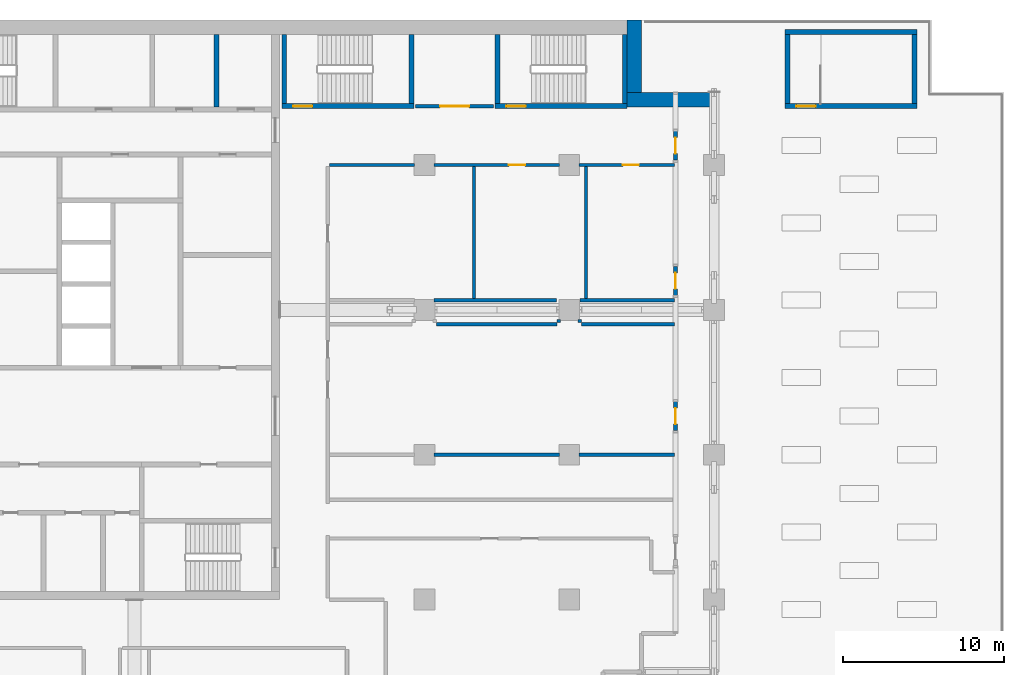
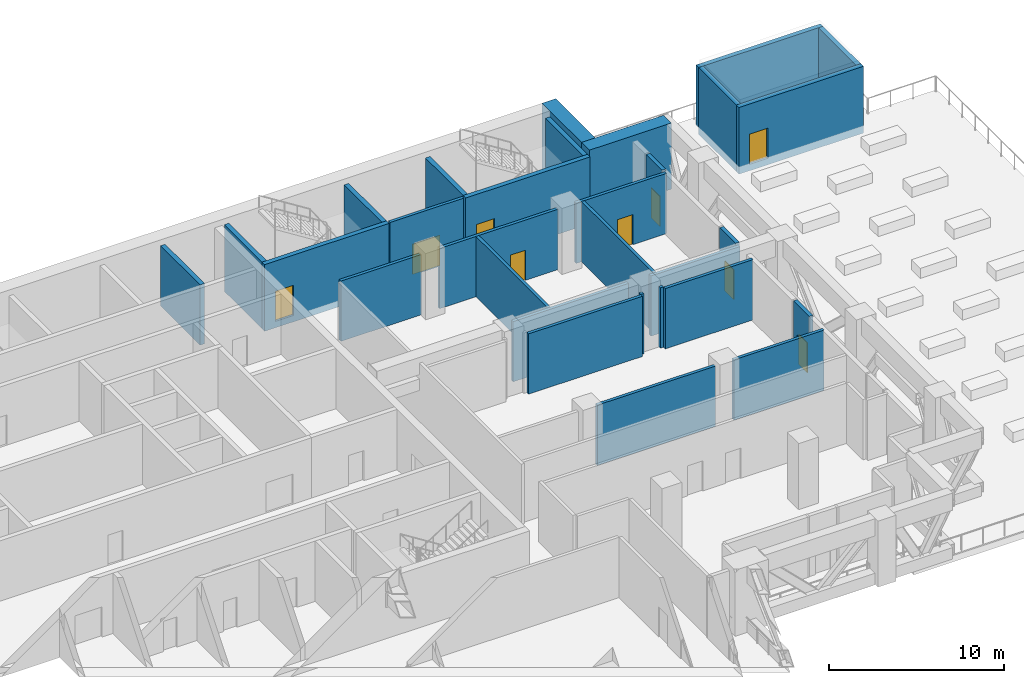
# One storey, part 12 of 22: 30 walls, 9 doors, 9 openings.
"""IFC4 building model written with IfcOpenShell, lengths in metres."""

from ifc_helpers import new_model, si_unit, direction, frame, frame_2d, origin, place, context, subcontext, project, spatial, rectangle, extrude, material, layer, layer_set, type_object, element, fill, save


model = new_model("IFC4")

# Units and contexts
model_context = context("Model", 3, precision=1e-05, world=origin(), true_north=direction((0.0, 1.0)))
body_context = subcontext(model_context, "Body", "Model", "MODEL_VIEW")
ifc_project = project(units=[si_unit("LENGTHUNIT", "METRE"), si_unit("AREAUNIT", "SQUARE_METRE"), si_unit("VOLUMEUNIT", "CUBIC_METRE"), si_unit("PLANEANGLEUNIT", "RADIAN"), si_unit("MASSUNIT", "GRAM", prefix="KILO")], contexts=[model_context])

# Site, building, storey
site_placement = place(None, origin())
site = spatial("IfcSite", under=ifc_project, at=site_placement, CompositionType="ELEMENT")
building_placement = place(site_placement, origin())
building = spatial("IfcBuilding", under=site, at=building_placement, Name="Hunhe Ridgeline Campus", CompositionType="ELEMENT")
storey_placement = place(building_placement, frame((0.0, 0.0, 129.199951171875)))
storey = spatial("IfcBuildingStorey", under=building, at=storey_placement, Name="L32", CompositionType="ELEMENT", Elevation=129.199951171875)

# Walls
ifc_material_1 = material(Name="Masonry concrete blockwork", Category="masonry")
ifc_layer_1 = layer(ifc_material_1, 0.300048828125)
ifc_layer_set_1 = layer_set([ifc_layer_1], Name="Core room partition 300 concrete block")
wall_type_1 = type_object("IfcWallType", Name="Core room partition 300 concrete block", PredefinedType="PARTITIONING", material=ifc_layer_set_1)
wall_1_placement = place(storey_placement, frame((32.10009765625, 93.60009765625, 0.0), z_axis=(0.0, 0.0, 1.0), x_axis=(0.0, 1.0, 0.0)))
element("IfcWall", 1, at=wall_1_placement, inside=storey, type_object=wall_type_1, Name="L32 core partition 61", PredefinedType="PARTITIONING", context=body_context, shape_type="SweptSolid", body=[
    extrude(rectangle(XDim=4.5, YDim=0.300048828125, at=frame_2d((2.25, 0.0))), origin(), (0.0, 0.0, 1.0), 4.199951171875),
])
ifc_material_2 = material(Name="Gypsum board partition")
ifc_layer_2 = layer(ifc_material_2, 0.199951171875)
ifc_layer_set_2 = layer_set([ifc_layer_2], Name="Corridor partition 200 gypsum board on steel studs")
wall_type_2 = type_object("IfcWallType", Name="Corridor partition 200 gypsum board on steel studs", PredefinedType="PARTITIONING", material=ifc_layer_set_2)
wall_2_placement = place(storey_placement, frame((45.60009765625, 72.0, 0.0), z_axis=(0.0, 0.0, 1.0), x_axis=(1.0, 0.0, 0.0)))
element("IfcWall", 2, at=wall_2_placement, inside=storey, type_object=wall_type_2, Name="F-L32-wall-032", PredefinedType="PARTITIONING", context=body_context, shape_type="SweptSolid", body=[
    extrude(rectangle(XDim=7.7998046875, YDim=0.199951171875, at=frame_2d((3.89990234375, 0.0))), origin(), (0.0, 0.0, 1.0), 4.199951171875),
])
wall_3_placement = place(storey_placement, frame((54.60009765625, 72.0, 0.0), z_axis=(0.0, 0.0, 1.0), x_axis=(1.0, 0.0, 0.0)))
element("IfcWall", 3, at=wall_3_placement, inside=storey, type_object=wall_type_2, Name="F-L32-wall-033", PredefinedType="PARTITIONING", context=body_context, shape_type="SweptSolid", body=[
    extrude(rectangle(XDim=5.94482421875, YDim=0.199951171875, at=frame_2d((2.972412109375, 0.0))), origin(), (0.0, 0.0, 1.0), 4.199951171875),
])
wall_4_placement = place(storey_placement, frame((45.75, 80.10009765625, 0.0), z_axis=(0.0, 0.0, 1.0), x_axis=(1.0, 0.0, 0.0)))
element("IfcWall", 4, at=wall_4_placement, inside=storey, type_object=wall_type_2, Name="F-L32-wall-035", PredefinedType="PARTITIONING", context=body_context, shape_type="SweptSolid", body=[
    extrude(rectangle(XDim=7.5, YDim=0.199951171875, at=frame_2d((3.75, 0.0))), origin(), (0.0, 0.0, 1.0), 4.199951171875),
])
wall_5_placement = place(storey_placement, frame((54.75, 80.10009765625, 0.0), z_axis=(0.0, 0.0, 1.0), x_axis=(1.0, 0.0, 0.0)))
element("IfcWall", 5, at=wall_5_placement, inside=storey, type_object=wall_type_2, Name="F-L32-wall-036", PredefinedType="PARTITIONING", context=body_context, shape_type="SweptSolid", body=[
    extrude(rectangle(XDim=5.794921875, YDim=0.199951171875, at=frame_2d((2.8974609375, 0.0))), origin(), (0.0, 0.0, 1.0), 4.199951171875),
])
wall_6_placement = place(storey_placement, frame((45.60009765625, 81.60009765625, 0.0), z_axis=(0.0, 0.0, 1.0), x_axis=(1.0, 0.0, 0.0)))
element("IfcWall", 6, at=wall_6_placement, inside=storey, type_object=wall_type_2, Name="F-L32-wall-038", PredefinedType="PARTITIONING", context=body_context, shape_type="SweptSolid", body=[
    extrude(rectangle(XDim=7.60009765625, YDim=0.199951171875, at=frame_2d((3.800048828125, 0.0))), origin(), (0.0, 0.0, 1.0), 4.199951171875),
])
wall_7_placement = place(storey_placement, frame((54.669189453125, 81.60009765625, 0.0), z_axis=(0.0, 0.0, 1.0), x_axis=(1.0, 0.0, 0.0)))
element("IfcWall", 7, at=wall_7_placement, inside=storey, type_object=wall_type_2, Name="F-L32-wall-039", PredefinedType="PARTITIONING", context=body_context, shape_type="SweptSolid", body=[
    extrude(rectangle(XDim=5.875732421875, YDim=0.199951171875, at=frame_2d((2.93798828125, 0.0))), origin(), (0.0, 0.0, 1.0), 4.199951171875),
])

# Wall, opening, door
wall_8_placement = place(storey_placement, frame((60.544921875, 90.0, 0.0), z_axis=(0.0, 0.0, 1.0), x_axis=(-1.0, 0.0, 0.0)))
wall_8 = element("IfcWall", 8, at=wall_8_placement, inside=storey, type_object=wall_type_2, Name="F-L32-wall-040", PredefinedType="PARTITIONING", context=body_context, shape_type="SweptSolid", body=[
    extrude(rectangle(XDim=5.94482421875, YDim=0.199951171875, at=frame_2d((2.972412109375, 0.0))), origin(), (0.0, 0.0, 1.0), 4.199951171875),
])
opening_1_placement = place(wall_8_placement, frame((2.214111328125, 0.0, 0.0)))
opening_1 = element("IfcOpeningElement", 9, at=opening_1_placement, cuts=wall_8, Name="Opening RD1-026", PredefinedType="OPENING", context=body_context, shape_type="SweptSolid", body=[
    extrude(rectangle(XDim=1.0, YDim=2.10009765625, at=frame_2d((0.5, 1.050048828125))), frame((0.0, 0.10009765625, 0.0), z_axis=(0.0, -1.0, 0.0), x_axis=(1.0, 0.0, 0.0)), (0.0, 0.0, 1.0), 0.199951171875),
])
ifc_material_3 = material(Name="Timber door leaf", Category="wood")
door_type_1 = type_object("IfcDoorType", Name="Single fire door 1000x2100 timber FD60", OperationType="NOTDEFINED", PredefinedType="DOOR", material=ifc_material_3)
door_1_placement = place(opening_1_placement, frame((1.0, 0.0, 0.0), z_axis=(0.0, 0.0, 1.0), x_axis=(-1.0, 0.0, 0.0)))
door_1 = element("IfcDoor", 10, at=door_1_placement, inside=storey, type_object=door_type_1, Name="F-L32-door-026", OperationType="SINGLE_SWING_RIGHT", OverallHeight=2.10009765625, OverallWidth=1.0, PredefinedType="DOOR", context=body_context, shape_type="SweptSolid", body=[
    extrude(rectangle(XDim=1.0, YDim=2.10009765625, at=frame_2d((0.5, 1.050048828125))), frame((0.0, 0.02490234375, 0.0), z_axis=(0.0, -1.0, 0.0), x_axis=(1.0, 0.0, 0.0)), (0.0, 0.0, 1.0), 0.050048828125),
])
fill(opening_1, door_1)

# Wall
wall_9_placement = place(storey_placement, frame((44.39990234375, 90.0, 0.0), z_axis=(0.0, 0.0, 1.0), x_axis=(-1.0, 0.0, 0.0)))
element("IfcWall", 11, at=wall_9_placement, inside=storey, type_object=wall_type_2, Name="F-L32-wall-041", PredefinedType="PARTITIONING", context=body_context, shape_type="SweptSolid", body=[
    extrude(rectangle(XDim=5.2998046875, YDim=0.199951171875, at=frame_2d((2.64990234375, 0.0))), origin(), (0.0, 0.0, 1.0), 4.199951171875),
])

# Wall, opening, door
wall_10_placement = place(storey_placement, frame((53.39990234375, 90.0, 0.0), z_axis=(0.0, 0.0, 1.0), x_axis=(-1.0, 0.0, 0.0)))
wall_10 = element("IfcWall", 12, at=wall_10_placement, inside=storey, type_object=wall_type_2, Name="F-L32-wall-042", PredefinedType="PARTITIONING", context=body_context, shape_type="SweptSolid", body=[
    extrude(rectangle(XDim=7.7998046875, YDim=0.199951171875, at=frame_2d((3.89990234375, 0.0))), origin(), (0.0, 0.0, 1.0), 4.199951171875),
])
opening_2_placement = place(wall_10_placement, frame((2.141845703125, 0.0, 0.0)))
opening_2 = element("IfcOpeningElement", 13, at=opening_2_placement, cuts=wall_10, Name="Opening RD1-025", PredefinedType="OPENING", context=body_context, shape_type="SweptSolid", body=[
    extrude(rectangle(XDim=1.0, YDim=2.10009765625, at=frame_2d((0.5, 1.050048828125))), frame((0.0, 0.10009765625, 0.0), z_axis=(0.0, -1.0, 0.0), x_axis=(1.0, 0.0, 0.0)), (0.0, 0.0, 1.0), 0.199951171875),
])
door_2_placement = place(opening_2_placement, frame((1.0, 0.0, 0.0), z_axis=(0.0, 0.0, 1.0), x_axis=(-1.0, 0.0, 0.0)))
door_2 = element("IfcDoor", 14, at=door_2_placement, inside=storey, type_object=door_type_1, Name="F-L32-door-025", OperationType="SINGLE_SWING_RIGHT", OverallHeight=2.10009765625, OverallWidth=1.0, PredefinedType="DOOR", context=body_context, shape_type="SweptSolid", body=[
    extrude(rectangle(XDim=1.0, YDim=2.10009765625, at=frame_2d((0.5, 1.050048828125))), frame((0.0, 0.02490234375, 0.0), z_axis=(0.0, -1.0, 0.0), x_axis=(1.0, 0.0, 0.0)), (0.0, 0.0, 1.0), 0.050048828125),
])
fill(opening_2, door_2)

wall_11_placement = place(storey_placement, frame((44.4541015625, 93.64990234375, 0.0), z_axis=(0.0, 0.0, 1.0), x_axis=(1.0, 0.0, 0.0)))
wall_11 = element("IfcWall", 15, at=wall_11_placement, inside=storey, type_object=wall_type_2, Name="F-L32-wall-043", PredefinedType="PARTITIONING", context=body_context, shape_type="SweptSolid", body=[
    extrude(rectangle(XDim=4.841796875, YDim=0.199951171875, at=frame_2d((2.4208984375, 0.0))), origin(), (0.0, 0.0, 1.0), 4.199951171875),
])
opening_3_placement = place(wall_11_placement, frame((1.52099609375, 0.0, 0.0)))
opening_3 = element("IfcOpeningElement", 16, at=opening_3_placement, cuts=wall_11, Name="Opening RD2-027", PredefinedType="OPENING", context=body_context, shape_type="SweptSolid", body=[
    extrude(rectangle(XDim=1.800048828125, YDim=2.10009765625, at=frame_2d((0.89990234375, 1.050048828125))), frame((0.0, 0.10009765625, 0.0), z_axis=(0.0, -1.0, 0.0), x_axis=(1.0, 0.0, 0.0)), (0.0, 0.0, 1.0), 0.199951171875),
])
door_type_2 = type_object("IfcDoorType", Name="Double fire door 1800x2100 timber FD60", OperationType="DOUBLE_DOOR_SINGLE_SWING", PredefinedType="DOOR", material=ifc_material_3)
door_3_placement = place(opening_3_placement, origin())
door_3 = element("IfcDoor", 17, at=door_3_placement, inside=storey, type_object=door_type_2, Name="F-L32-door-027", OperationType="DOUBLE_DOOR_SINGLE_SWING", OverallHeight=2.10009765625, OverallWidth=1.800048828125, PredefinedType="DOOR", context=body_context, shape_type="SweptSolid", body=[
    extrude(rectangle(XDim=1.800048828125, YDim=2.10009765625, at=frame_2d((0.89990234375, 1.050048828125))), frame((0.0, 0.02490234375, 0.0), z_axis=(0.0, -1.0, 0.0), x_axis=(1.0, 0.0, 0.0)), (0.0, 0.0, 1.0), 0.050048828125),
])
fill(opening_3, door_3)

# Walls
wall_12_placement = place(storey_placement, frame((48.091064453125, 89.89990234375, 0.0), z_axis=(0.0, 0.0, 1.0), x_axis=(0.0, -1.0, 0.0)))
element("IfcWall", 18, at=wall_12_placement, inside=storey, type_object=wall_type_2, Name="F-L32-wall-065", PredefinedType="PARTITIONING", context=body_context, shape_type="SweptSolid", body=[
    extrude(rectangle(XDim=8.199951171875, YDim=0.199951171875, at=frame_2d((4.10009765625, 0.0))), origin(), (0.0, 0.0, 1.0), 4.199951171875),
])
for number, where, z_axis, x_axis, name in (
    (19, (53.35009765625, 80.39990234375, 0.0), (0.0, 0.0, 1.0), (0.0, -1.0, 0.0), "F-L32-wall-066"),
    (20, (54.64990234375, 80.39990234375, 0.0), (0.0, 0.0, 1.0), (0.0, -1.0, 0.0), "F-L32-wall-067"),
):
    element("IfcWall", number, at=place(storey_placement, frame(where, z_axis=z_axis, x_axis=x_axis)), inside=storey, type_object=wall_type_2, Name=name, PredefinedType="PARTITIONING", context=body_context, shape_type="SweptSolid", body=[
        extrude(rectangle(XDim=0.199951171875, YDim=0.199951171875, at=frame_2d((0.10009765625, 0.0))), origin(), (0.0, 0.0, 1.0), 4.199951171875),
    ])
wall_13_placement = place(storey_placement, frame((55.04296875, 89.89990234375, 0.0), z_axis=(0.0, 0.0, 1.0), x_axis=(0.0, -1.0, 0.0)))
element("IfcWall", 21, at=wall_13_placement, inside=storey, type_object=wall_type_2, Name="F-L32-wall-068", PredefinedType="PARTITIONING", context=body_context, shape_type="SweptSolid", body=[
    extrude(rectangle(XDim=8.199951171875, YDim=0.199951171875, at=frame_2d((4.10009765625, 0.0))), origin(), (0.0, 0.0, 1.0), 4.199951171875),
])

# Wall, opening, door
ifc_material_4 = material(Name="Concrete C30", Category="concrete")
ifc_layer_3 = layer(ifc_material_4, 0.25)
ifc_layer_set_3 = layer_set([ifc_layer_3], Name="Loggia door pier wall 250 Concrete C30")
wall_type_3 = type_object("IfcWallType", Name="Loggia door pier wall 250 Concrete C30", PredefinedType="SOLIDWALL", material=ifc_layer_set_3)
wall_14_placement = place(storey_placement, frame((60.59912109375, 73.500732421875, 0.0), z_axis=(0.0, 0.0, 1.0), x_axis=(0.0, 1.0, 0.0)))
wall_14 = element("IfcWall", 22, at=wall_14_placement, inside=storey, type_object=wall_type_3, Name="Loggia door pier 14", PredefinedType="SOLIDWALL", context=body_context, shape_type="SweptSolid", body=[
    extrude(rectangle(XDim=1.7998046875, YDim=0.25, at=frame_2d((0.89990234375, 0.0))), origin(), (0.0, 0.0, 1.0), 4.199951171875),
])
opening_4_placement = place(wall_14_placement, frame((0.39990234375, 0.0, 0.0)))
opening_4 = element("IfcOpeningElement", 23, at=opening_4_placement, cuts=wall_14, Name="Opening BR314", PredefinedType="OPENING", context=body_context, shape_type="SweptSolid", body=[
    extrude(rectangle(XDim=1.0, YDim=2.10009765625, at=frame_2d((0.5, 1.050048828125))), frame((0.0, 0.125, 0.0), z_axis=(0.0, -1.0, 0.0), x_axis=(1.0, 0.0, 0.0)), (0.0, 0.0, 1.0), 0.25),
])
ifc_material_5 = material(Name="Aluminium 6063", Category="aluminium")
door_type_3 = type_object("IfcDoorType", Name="Loggia glazed door 1000x2100", OperationType="NOTDEFINED", PredefinedType="DOOR", material=ifc_material_5)
door_4_placement = place(opening_4_placement, frame((1.0, 0.0, 0.0), z_axis=(0.0, 0.0, 1.0), x_axis=(-1.0, 0.0, 0.0)))
door_4 = element("IfcDoor", 24, at=door_4_placement, inside=storey, type_object=door_type_3, Name="Loggia door BR314", OperationType="SINGLE_SWING_LEFT", OverallHeight=2.10009765625, OverallWidth=1.0, PredefinedType="DOOR", context=body_context, shape_type="SweptSolid", body=[
    extrude(rectangle(XDim=1.0, YDim=2.10009765625, at=frame_2d((0.5, 1.050048828125))), frame((0.0, 0.02490234375, 0.0), z_axis=(0.0, -1.0, 0.0), x_axis=(1.0, 0.0, 0.0)), (0.0, 0.0, 1.0), 0.050048828125),
])
fill(opening_4, door_4)

wall_15_placement = place(storey_placement, frame((60.59912109375, 81.900390625, 0.0), z_axis=(0.0, 0.0, 1.0), x_axis=(0.0, 1.0, 0.0)))
wall_15 = element("IfcWall", 25, at=wall_15_placement, inside=storey, type_object=wall_type_3, Name="Loggia door pier 15", PredefinedType="SOLIDWALL", context=body_context, shape_type="SweptSolid", body=[
    extrude(rectangle(XDim=1.800048828125, YDim=0.25, at=frame_2d((0.89990234375, 0.0))), origin(), (0.0, 0.0, 1.0), 4.199951171875),
])
opening_5_placement = place(wall_15_placement, frame((0.39990234375, 0.0, 0.0)))
opening_5 = element("IfcOpeningElement", 26, at=opening_5_placement, cuts=wall_15, Name="Opening BR315", PredefinedType="OPENING", context=body_context, shape_type="SweptSolid", body=[
    extrude(rectangle(XDim=1.0, YDim=2.10009765625, at=frame_2d((0.5, 1.050048828125))), frame((0.0, 0.125, 0.0), z_axis=(0.0, -1.0, 0.0), x_axis=(1.0, 0.0, 0.0)), (0.0, 0.0, 1.0), 0.25),
])
door_5_placement = place(opening_5_placement, frame((1.0, 0.0, 0.0), z_axis=(0.0, 0.0, 1.0), x_axis=(-1.0, 0.0, 0.0)))
door_5 = element("IfcDoor", 27, at=door_5_placement, inside=storey, type_object=door_type_3, Name="Loggia door BR315", OperationType="SINGLE_SWING_RIGHT", OverallHeight=2.10009765625, OverallWidth=1.0, PredefinedType="DOOR", context=body_context, shape_type="SweptSolid", body=[
    extrude(rectangle(XDim=1.0, YDim=2.10009765625, at=frame_2d((0.5, 1.050048828125))), frame((0.0, 0.02490234375, 0.0), z_axis=(0.0, -1.0, 0.0), x_axis=(1.0, 0.0, 0.0)), (0.0, 0.0, 1.0), 0.050048828125),
])
fill(opening_5, door_5)

wall_16_placement = place(storey_placement, frame((60.59912109375, 90.300048828125, 0.0), z_axis=(0.0, 0.0, 1.0), x_axis=(0.0, 1.0, 0.0)))
wall_16 = element("IfcWall", 28, at=wall_16_placement, inside=storey, type_object=wall_type_3, Name="Loggia door pier 16", PredefinedType="SOLIDWALL", context=body_context, shape_type="SweptSolid", body=[
    extrude(rectangle(XDim=1.800048828125, YDim=0.25, at=frame_2d((0.89990234375, 0.0))), origin(), (0.0, 0.0, 1.0), 4.199951171875),
])
opening_6_placement = place(wall_16_placement, frame((0.39990234375, 0.0, 0.0)))
opening_6 = element("IfcOpeningElement", 29, at=opening_6_placement, cuts=wall_16, Name="Opening BR316", PredefinedType="OPENING", context=body_context, shape_type="SweptSolid", body=[
    extrude(rectangle(XDim=1.0, YDim=2.10009765625, at=frame_2d((0.5, 1.050048828125))), frame((0.0, 0.125, 0.0), z_axis=(0.0, -1.0, 0.0), x_axis=(1.0, 0.0, 0.0)), (0.0, 0.0, 1.0), 0.25),
])
door_6_placement = place(opening_6_placement, frame((1.0, 0.0, 0.0), z_axis=(0.0, 0.0, 1.0), x_axis=(-1.0, 0.0, 0.0)))
door_6 = element("IfcDoor", 30, at=door_6_placement, inside=storey, type_object=door_type_3, Name="Loggia door BR316", OperationType="SINGLE_SWING_LEFT", OverallHeight=2.10009765625, OverallWidth=1.0, PredefinedType="DOOR", context=body_context, shape_type="SweptSolid", body=[
    extrude(rectangle(XDim=1.0, YDim=2.10009765625, at=frame_2d((0.5, 1.050048828125))), frame((0.0, 0.02490234375, 0.0), z_axis=(0.0, -1.0, 0.0), x_axis=(1.0, 0.0, 0.0)), (0.0, 0.0, 1.0), 0.050048828125),
])
fill(opening_6, door_6)

# Walls
ifc_material_6 = material(Name="Concrete C70", Category="concrete")
ifc_layer_4 = layer(ifc_material_6, 0.89990234375)
ifc_layer_set_4 = layer_set([ifc_layer_4], Name="Spine wall 900 Concrete C70")
wall_type_4 = type_object("IfcWallType", Name="Spine wall 900 Concrete C70", PredefinedType="SHEAR", material=ifc_layer_set_4)
wall_17_placement = place(storey_placement, frame((63.0, 94.050048828125, 0.0), z_axis=(0.0, 0.0, 1.0), x_axis=(-1.0, 0.0, 0.0)))
element("IfcWall", 31, at=wall_17_placement, inside=storey, type_object=wall_type_4, Name="Spine wall SW2-2 L32", PredefinedType="SHEAR", context=body_context, shape_type="SweptSolid", body=[
    extrude(rectangle(XDim=5.400390625, YDim=0.89990234375, at=frame_2d((2.7001953125, 0.0))), origin(), (0.0, 0.0, 1.0), 4.60009765625),
])
wall_18_placement = place(storey_placement, frame((58.050048828125, 93.60009765625, 0.0), z_axis=(0.0, 0.0, 1.0), x_axis=(0.0, 1.0, 0.0)))
element("IfcWall", 32, at=wall_18_placement, inside=storey, type_object=wall_type_4, Name="Spine wall SW2-3 L32", PredefinedType="SHEAR", context=body_context, shape_type="SweptSolid", body=[
    extrude(rectangle(XDim=5.39990234375, YDim=0.89990234375, at=frame_2d((2.699951171875, 0.0))), origin(), (0.0, 0.0, 1.0), 4.60009765625),
])

# Wall, opening, door
ifc_layer_5 = layer(ifc_material_6, 0.300048828125)
ifc_layer_set_5 = layer_set([ifc_layer_5], Name="Stair wall 300 reinforced concrete C70")
wall_type_5 = type_object("IfcWallType", Name="Stair wall 300 reinforced concrete C70", PredefinedType="SOLIDWALL", material=ifc_layer_set_5)
wall_19_placement = place(storey_placement, frame((36.14990234375, 93.64990234375, -0.449951171875), z_axis=(0.0, 0.0, 1.0), x_axis=(1.0, 0.0, 0.0)))
wall_19 = element("IfcWall", 33, at=wall_19_placement, inside=storey, type_object=wall_type_5, Name="L32 core wall 30", PredefinedType="SOLIDWALL", context=body_context, shape_type="SweptSolid", body=[
    extrude(rectangle(XDim=8.2001953125, YDim=0.300048828125, at=frame_2d((4.10009765625, 0.0))), origin(), (0.0, 0.0, 1.0), 4.64990234375),
])
opening_7_placement = place(wall_19_placement, frame((0.699951171875, 0.0, 0.449951171875)))
opening_7 = element("IfcOpeningElement", 34, at=opening_7_placement, cuts=wall_19, Name="Opening CD17", PredefinedType="OPENING", context=body_context, shape_type="SweptSolid", body=[
    extrude(rectangle(XDim=1.199951171875, YDim=2.10009765625, at=frame_2d((0.60009765625, 1.050048828125))), frame((0.0, 0.14990234375, 0.0), z_axis=(0.0, -1.0, 0.0), x_axis=(1.0, 0.0, 0.0)), (0.0, 0.0, 1.0), 0.300048828125),
])
ifc_material_7 = material(Name="Hollow metal fire door leaf")
door_type_4 = type_object("IfcDoorType", Name="Stair door 1200x2100 FD60", OperationType="SINGLE_SWING_LEFT", PredefinedType="DOOR", material=ifc_material_7)
door_7_placement = place(opening_7_placement, frame((1.199951171875, 0.0, 0.0), z_axis=(0.0, 0.0, 1.0), x_axis=(-1.0, 0.0, 0.0)))
door_7 = element("IfcDoor", 35, at=door_7_placement, inside=storey, type_object=door_type_4, Name="L32 door E1", OperationType="SINGLE_SWING_RIGHT", OverallHeight=2.10009765625, OverallWidth=1.199951171875, PredefinedType="DOOR", context=body_context, shape_type="SweptSolid", body=[
    extrude(rectangle(XDim=1.199951171875, YDim=2.10009765625, at=frame_2d((0.60009765625, 1.050048828125))), frame((0.0, 0.02490234375, 0.0), z_axis=(0.0, -1.0, 0.0), x_axis=(1.0, 0.0, 0.0)), (0.0, 0.0, 1.0), 0.050048828125),
])
fill(opening_7, door_7)

wall_20_placement = place(storey_placement, frame((49.39990234375, 93.64990234375, -0.449951171875), z_axis=(0.0, 0.0, 1.0), x_axis=(1.0, 0.0, 0.0)))
wall_20 = element("IfcWall", 36, at=wall_20_placement, inside=storey, type_object=wall_type_5, Name="L32 core wall 31", PredefinedType="SOLIDWALL", context=body_context, shape_type="SweptSolid", body=[
    extrude(rectangle(XDim=8.2001953125, YDim=0.300048828125, at=frame_2d((4.10009765625, 0.0))), origin(), (0.0, 0.0, 1.0), 4.64990234375),
])
opening_8_placement = place(wall_20_placement, frame((0.699951171875, 0.0, 0.449951171875)))
opening_8 = element("IfcOpeningElement", 37, at=opening_8_placement, cuts=wall_20, Name="Opening CD18", PredefinedType="OPENING", context=body_context, shape_type="SweptSolid", body=[
    extrude(rectangle(XDim=1.199951171875, YDim=2.10009765625, at=frame_2d((0.60009765625, 1.050048828125))), frame((0.0, 0.14990234375, 0.0), z_axis=(0.0, -1.0, 0.0), x_axis=(1.0, 0.0, 0.0)), (0.0, 0.0, 1.0), 0.300048828125),
])
door_8_placement = place(opening_8_placement, frame((1.199951171875, 0.0, 0.0), z_axis=(0.0, 0.0, 1.0), x_axis=(-1.0, 0.0, 0.0)))
door_8 = element("IfcDoor", 38, at=door_8_placement, inside=storey, type_object=door_type_4, Name="L32 door E2", OperationType="SINGLE_SWING_LEFT", OverallHeight=2.10009765625, OverallWidth=1.199951171875, PredefinedType="DOOR", context=body_context, shape_type="SweptSolid", body=[
    extrude(rectangle(XDim=1.199951171875, YDim=2.10009765625, at=frame_2d((0.60009765625, 1.050048828125))), frame((0.0, 0.02490234375, 0.0), z_axis=(0.0, -1.0, 0.0), x_axis=(1.0, 0.0, 0.0)), (0.0, 0.0, 1.0), 0.050048828125),
])
fill(opening_8, door_8)

wall_21_placement = place(storey_placement, frame((67.39990234375, 93.64990234375, -0.449951171875), z_axis=(0.0, 0.0, 1.0), x_axis=(1.0, 0.0, 0.0)))
wall_21 = element("IfcWall", 39, at=wall_21_placement, inside=storey, type_object=wall_type_5, Name="L32 core wall 32", PredefinedType="SOLIDWALL", context=body_context, shape_type="SweptSolid", body=[
    extrude(rectangle(XDim=8.2001953125, YDim=0.300048828125, at=frame_2d((4.10009765625, 0.0))), origin(), (0.0, 0.0, 1.0), 4.64990234375),
])
opening_9_placement = place(wall_21_placement, frame((0.699951171875, 0.0, 0.449951171875)))
opening_9 = element("IfcOpeningElement", 40, at=opening_9_placement, cuts=wall_21, Name="Opening CD19", PredefinedType="OPENING", context=body_context, shape_type="SweptSolid", body=[
    extrude(rectangle(XDim=1.199951171875, YDim=2.10009765625, at=frame_2d((0.60009765625, 1.050048828125))), frame((0.0, 0.14990234375, 0.0), z_axis=(0.0, -1.0, 0.0), x_axis=(1.0, 0.0, 0.0)), (0.0, 0.0, 1.0), 0.300048828125),
])
door_9_placement = place(opening_9_placement, frame((1.199951171875, 0.0, 0.0), z_axis=(0.0, 0.0, 1.0), x_axis=(-1.0, 0.0, 0.0)))
door_9 = element("IfcDoor", 41, at=door_9_placement, inside=storey, type_object=door_type_4, Name="L32 door E3", OperationType="SINGLE_SWING_RIGHT", OverallHeight=2.10009765625, OverallWidth=1.199951171875, PredefinedType="DOOR", context=body_context, shape_type="SweptSolid", body=[
    extrude(rectangle(XDim=1.199951171875, YDim=2.10009765625, at=frame_2d((0.60009765625, 1.050048828125))), frame((0.0, 0.02490234375, 0.0), z_axis=(0.0, -1.0, 0.0), x_axis=(1.0, 0.0, 0.0)), (0.0, 0.0, 1.0), 0.050048828125),
])
fill(opening_9, door_9)

# Walls
wall_22_placement = place(storey_placement, frame((67.39990234375, 98.25, 0.0), z_axis=(0.0, 0.0, 1.0), x_axis=(1.0, 0.0, 0.0)))
element("IfcWall", 42, at=wall_22_placement, inside=storey, type_object=wall_type_5, Name="L32 core wall 34", PredefinedType="SOLIDWALL", context=body_context, shape_type="SweptSolid", body=[
    extrude(rectangle(XDim=8.2001953125, YDim=0.300048828125, at=frame_2d((4.10009765625, 0.0))), origin(), (0.0, 0.0, 1.0), 4.199951171875),
])
for number, where, z_axis, x_axis, name in (
    (43, (36.300048828125, 93.800048828125, -0.449951171875), (0.0, 0.0, 1.0), (0.0, 1.0, 0.0), "L32 core wall 63"),
    (44, (44.199951171875, 93.800048828125, -0.449951171875), (0.0, 0.0, 1.0), (0.0, 1.0, 0.0), "L32 core wall 64"),
    (45, (49.550048828125, 93.800048828125, -0.449951171875), (0.0, 0.0, 1.0), (0.0, 1.0, 0.0), "L32 core wall 65"),
    (46, (57.449951171875, 93.800048828125, -0.449951171875), (0.0, 0.0, 1.0), (0.0, 1.0, 0.0), "L32 core wall 66"),
    (47, (67.550048828125, 93.800048828125, -0.449951171875), (0.0, 0.0, 1.0), (0.0, 1.0, 0.0), "L32 core wall 67"),
    (48, (75.449951171875, 93.800048828125, -0.449951171875), (0.0, 0.0, 1.0), (0.0, 1.0, 0.0), "L32 core wall 68"),
):
    element("IfcWall", number, at=place(storey_placement, frame(where, z_axis=z_axis, x_axis=x_axis)), inside=storey, type_object=wall_type_5, Name=name, PredefinedType="SOLIDWALL", context=body_context, shape_type="SweptSolid", body=[
        extrude(rectangle(XDim=4.300048828125, YDim=0.300048828125, at=frame_2d((2.14990234375, 0.0))), origin(), (0.0, 0.0, 1.0), 4.64990234375),
    ])

save(model, "model.ifc")
